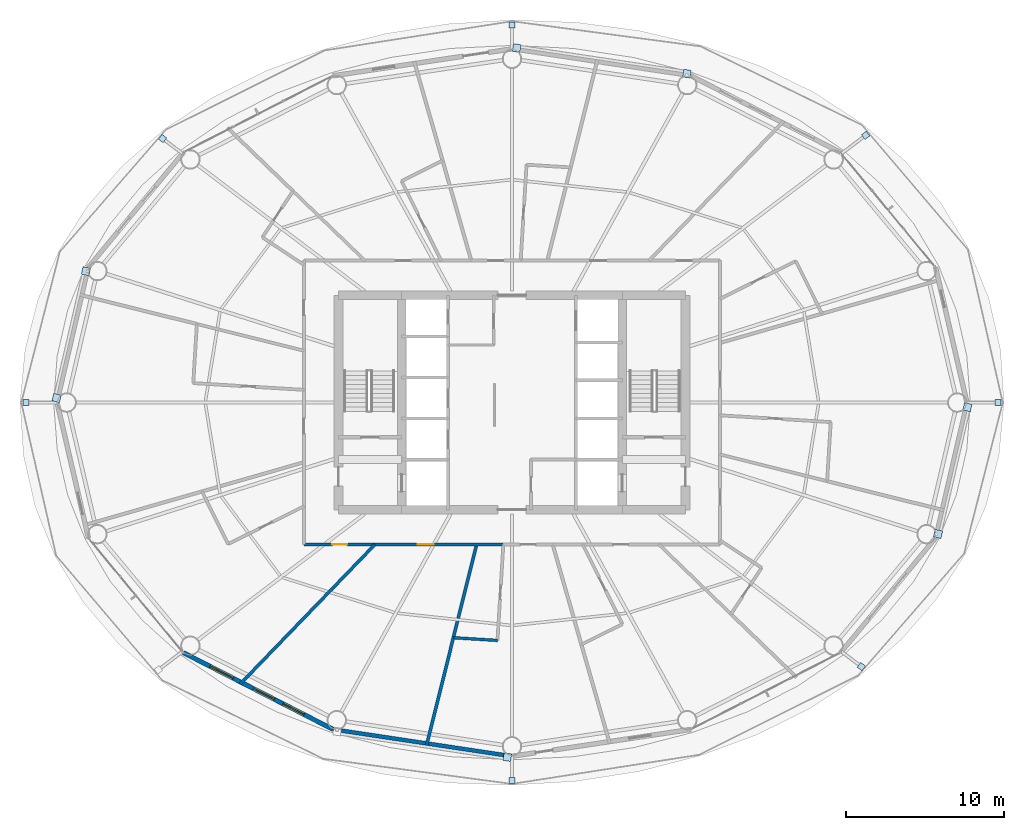
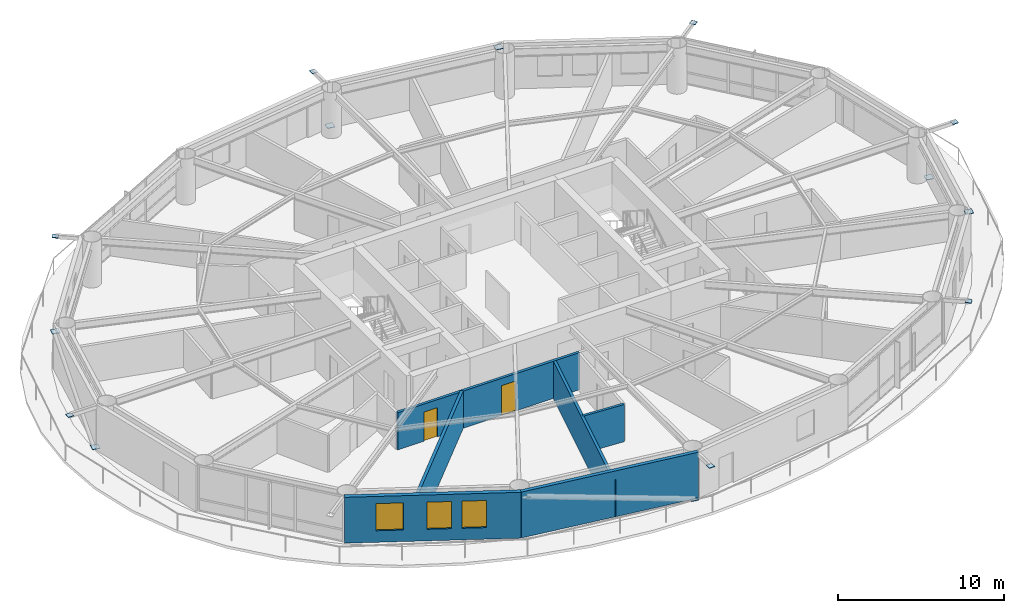
# One storey, part 17 of 24: 14 plates, 6 walls, 3 windows, 2 doors, 5 openings.
"""IFC4 building model written with IfcOpenShell, lengths in metres."""

from ifc_helpers import new_model, si_unit, direction, frame, frame_2d, origin, origin_2d, place, context, subcontext, project, spatial, rectangle, extrude, material, layer, layer_set, type_object, element, fill, save


model = new_model("IFC4")

# Units and contexts
model_context = context("Model", 3, precision=1e-05, world=origin(), true_north=direction((0.0, 1.0)))
body_context = subcontext(model_context, "Body", "Model", "MODEL_VIEW")
ifc_project = project(units=[si_unit("LENGTHUNIT", "METRE"), si_unit("AREAUNIT", "SQUARE_METRE"), si_unit("VOLUMEUNIT", "CUBIC_METRE"), si_unit("PLANEANGLEUNIT", "RADIAN"), si_unit("MASSUNIT", "GRAM", prefix="KILO")], contexts=[model_context])

# Site, building, storey
site_placement = place(None, origin())
site = spatial("IfcSite", under=ifc_project, at=site_placement, CompositionType="ELEMENT")
building_placement = place(site_placement, origin())
building = spatial("IfcBuilding", under=site, at=building_placement, Name="Sarneth Arch Tower", CompositionType="ELEMENT")
storey_placement = place(building_placement, frame((0.0, 0.0, 94.800048828125)))
storey = spatial("IfcBuildingStorey", under=building, at=storey_placement, Name="L23", CompositionType="ELEMENT", Elevation=94.800048828125)

# Plates
ifc_material_1 = material(Name="Steel S355", Category="steel")
ifc_layer_1 = layer(ifc_material_1, 0.035888671875)
ifc_layer_set_1 = layer_set([ifc_layer_1], Name="Steel S355")
plate_type = type_object("IfcPlateType", Name="PLT-GUSSET-30", PredefinedType="SHEET", material=ifc_layer_set_1)
for number, where, z_axis, x_axis, name in (
    (1, (78.828369140625, 42.0, 3.2021484375), (0.0, 0.0, 1.0), (1.0, 0.0, 0.0), "Steel end cap plate GP-1"),
    (2, (70.427490234375, 58.948974609375, 3.2021484375), (0.0, 0.0, 1.0), (0.797794439539, 0.602929541689, 0.0), "Steel end cap plate GP-1"),
):
    element("IfcPlate", number, at=place(storey_placement, frame(where, z_axis=z_axis, x_axis=x_axis)), inside=storey, type_object=plate_type, Name=name, PredefinedType="SHEET", context=body_context, shape_type="SweptSolid", body=[
        extrude(rectangle(XDim=0.3798828125, YDim=0.3798828125, at=origin_2d()), origin(), (0.0, 0.0, 1.0), 0.035888671875),
    ])
for number, where, z_axis, x_axis, name in (
    (3, (48.296630859375, 64.4853515625, 0.001953125), (0.0, 0.0, 1.0), (-0.988860535448, 0.148845024885, 0.0), "Steel end cap plate GP-1"),
    (4, (59.0927734375, 62.859619140625, 2.99462890625), (0.0, 0.0, 1.0), (-0.988860535448, 0.148845024885, 0.0), "Steel end cap plate GP-1"),
):
    element("IfcPlate", number, at=place(storey_placement, frame(where, z_axis=z_axis, x_axis=x_axis)), inside=storey, type_object=plate_type, Name=name, PredefinedType="SHEET", context=body_context, shape_type="SweptSolid", body=[
        extrude(rectangle(XDim=0.486083984375, YDim=0.486083984375, at=origin_2d()), origin(), (0.0, 0.0, 1.0), 0.035888671875),
    ])
for number, where, z_axis, x_axis, name in (
    (5, (48.0, 65.958251953125, 3.2021484375), (0.0, 0.0, 1.0), (0.0, 1.0, 0.0), "Steel end cap plate GP-1"),
    (6, (25.842529296875, 58.744873046875, 3.2021484375), (0.0, 0.0, 1.0), (-0.797794439539, 0.602929541689, 0.0), "Steel end cap plate GP-1"),
):
    element("IfcPlate", number, at=place(storey_placement, frame(where, z_axis=z_axis, x_axis=x_axis)), inside=storey, type_object=plate_type, Name=name, PredefinedType="SHEET", context=body_context, shape_type="SweptSolid", body=[
        extrude(rectangle(XDim=0.3798828125, YDim=0.3798828125, at=origin_2d()), origin(), (0.0, 0.0, 1.0), 0.035888671875),
    ])
for number, where, z_axis, x_axis, name in (
    (7, (19.121337890625, 42.292236328125, 0.001953125), (0.0, 0.0, 1.0), (-0.225291159947, -0.974291482694, 0.0), "Steel end cap plate GP-1"),
    (8, (20.98046875, 50.32958984375, 2.99462890625), (0.0, 0.0, 1.0), (-0.225291159947, -0.974291482694, 0.0), "Steel end cap plate GP-1"),
):
    element("IfcPlate", number, at=place(storey_placement, frame(where, z_axis=z_axis, x_axis=x_axis)), inside=storey, type_object=plate_type, Name=name, PredefinedType="SHEET", context=body_context, shape_type="SweptSolid", body=[
        extrude(rectangle(XDim=0.486083984375, YDim=0.486083984375, at=origin_2d()), origin(), (0.0, 0.0, 1.0), 0.035888671875),
    ])
plate_1_placement = place(storey_placement, frame((17.171630859375, 42.0, 3.2021484375), z_axis=(0.0, 0.0, 1.0), x_axis=(-1.0, 0.0, 0.0)))
element("IfcPlate", 9, at=plate_1_placement, inside=storey, type_object=plate_type, Name="Steel end cap plate GP-1", PredefinedType="SHEET", context=body_context, shape_type="SweptSolid", body=[
    extrude(rectangle(XDim=0.3798828125, YDim=0.3798828125, at=origin_2d()), origin(), (0.0, 0.0, 1.0), 0.035888671875),
])
plate_2_placement = place(storey_placement, frame((47.703369140625, 19.5146484375, 0.001953125), z_axis=(0.0, 0.0, 1.0), x_axis=(0.988860535448, -0.148845024885, 0.0)))
element("IfcPlate", 10, at=plate_2_placement, inside=storey, type_object=plate_type, Name="Steel end cap plate GP-1", PredefinedType="SHEET", context=body_context, shape_type="SweptSolid", body=[
    extrude(rectangle(XDim=0.486083984375, YDim=0.486083984375, at=origin_2d()), origin(), (0.0, 0.0, 1.0), 0.035888671875),
])
for number, where, z_axis, x_axis, name in (
    (11, (48.0, 18.041748046875, 3.2021484375), (0.0, 0.0, 1.0), (0.0, -1.0, 0.0), "Steel end cap plate GP-1"),
    (12, (70.157470703125, 25.255126953125, 3.2021484375), (0.0, 0.0, 1.0), (0.797794439539, -0.602929541689, 0.0), "Steel end cap plate GP-1"),
):
    element("IfcPlate", number, at=place(storey_placement, frame(where, z_axis=z_axis, x_axis=x_axis)), inside=storey, type_object=plate_type, Name=name, PredefinedType="SHEET", context=body_context, shape_type="SweptSolid", body=[
        extrude(rectangle(XDim=0.3798828125, YDim=0.3798828125, at=origin_2d()), origin(), (0.0, 0.0, 1.0), 0.035888671875),
    ])
for number, where, z_axis, x_axis, name in (
    (13, (76.878662109375, 41.707763671875, 0.001953125), (0.0, 0.0, 1.0), (0.225291159947, 0.974291482694, 0.0), "Steel end cap plate GP-1"),
    (14, (75.01953125, 33.67041015625, 2.99462890625), (0.0, 0.0, 1.0), (0.225291159947, 0.974291482694, 0.0), "Steel end cap plate GP-1"),
):
    element("IfcPlate", number, at=place(storey_placement, frame(where, z_axis=z_axis, x_axis=x_axis)), inside=storey, type_object=plate_type, Name=name, PredefinedType="SHEET", context=body_context, shape_type="SweptSolid", body=[
        extrude(rectangle(XDim=0.486083984375, YDim=0.486083984375, at=origin_2d()), origin(), (0.0, 0.0, 1.0), 0.035888671875),
    ])

# Wall, openings, doors
ifc_material_2 = material(Name="Double steel-stud corridor fire wall", Category="steel")
ifc_layer_2 = layer(ifc_material_2, 0.18994140625)
ifc_layer_set_2 = layer_set([ifc_layer_2], Name="Double steel-stud corridor fire wall")
wall_type_1 = type_object("IfcWallType", Name="WALL-CORR-190", PredefinedType="PARTITIONING", material=ifc_layer_set_2)
wall_1_placement = place(storey_placement, frame((47.481689453125, 33.0, 0.0), z_axis=(0.0, 0.0, 1.0), x_axis=(-1.0, 0.0, 0.0)))
wall_1 = element("IfcWall", 15, at=wall_1_placement, inside=storey, type_object=wall_type_1, Name="L23 Interior partition W-L23-TP-017", PredefinedType="PARTITIONING", context=body_context, shape_type="SweptSolid", body=[
    extrude(rectangle(XDim=12.681640625, YDim=0.18994140625, at=frame_2d((6.3408203125, 0.0))), origin(), (0.0, 0.0, 1.0), 2.739990234375),
])
opening_1_placement = place(wall_1_placement, frame((4.455078125, 0.0, 0.0)))
opening_1 = element("IfcOpeningElement", 16, at=opening_1_placement, cuts=wall_1, Name="Opening FD-08", PredefinedType="OPENING", context=body_context, shape_type="SweptSolid", body=[
    extrude(rectangle(XDim=1.0, YDim=2.199951171875, at=frame_2d((0.5, 1.10009765625))), frame((0.0, 0.10498046875, 0.0), z_axis=(0.0, -1.0, 0.0), x_axis=(1.0, 0.0, 0.0)), (0.0, 0.0, 1.0), 0.2099609375),
])
opening_2_placement = place(wall_1_placement, frame((9.929931640625, 0.0, 0.0)))
opening_2 = element("IfcOpeningElement", 17, at=opening_2_placement, cuts=wall_1, Name="Opening FD-09", PredefinedType="OPENING", context=body_context, shape_type="SweptSolid", body=[
    extrude(rectangle(XDim=0.949951171875, YDim=2.14990234375, at=frame_2d((0.47509765625, 1.074951171875))), frame((0.0, 0.10498046875, 0.0), z_axis=(0.0, -1.0, 0.0), x_axis=(1.0, 0.0, 0.0)), (0.0, 0.0, 1.0), 0.2099609375),
])
ifc_material_3 = material(Name="Hardwood timber acoustic fire door", Category="wood")
door_type_1 = type_object("IfcDoorType", Name="DR-FD60-1000", OperationType="SINGLE_SWING_LEFT", PredefinedType="DOOR", material=ifc_material_3)
door_1_placement = place(opening_1_placement, origin())
door_1 = element("IfcDoor", 18, at=door_1_placement, inside=storey, type_object=door_type_1, Name="L23 Interior door DR-L23-AMN-08", OperationType="SINGLE_SWING_LEFT", OverallHeight=2.199951171875, OverallWidth=1.0, PredefinedType="DOOR", context=body_context, shape_type="SweptSolid", body=[
    extrude(rectangle(XDim=1.0, YDim=2.199951171875, at=frame_2d((0.5, 1.10009765625))), frame((0.0, 0.02490234375, 0.0), z_axis=(0.0, -1.0, 0.0), x_axis=(1.0, 0.0, 0.0)), (0.0, 0.0, 1.0), 0.050048828125),
])
fill(opening_1, door_1)
ifc_material_4 = material(Name="Hardwood timber hotel entrance fire door", Category="wood")
door_type_2 = type_object("IfcDoorType", Name="DR-FD60-950", OperationType="SINGLE_SWING_RIGHT", PredefinedType="DOOR", material=ifc_material_4)
door_2_placement = place(opening_2_placement, origin())
door_2 = element("IfcDoor", 19, at=door_2_placement, inside=storey, type_object=door_type_2, Name="L23 Interior door DR-L23-KEY-07", OperationType="SINGLE_SWING_RIGHT", OverallHeight=2.14990234375, OverallWidth=0.949951171875, PredefinedType="DOOR", context=body_context, shape_type="SweptSolid", body=[
    extrude(rectangle(XDim=0.949951171875, YDim=2.14990234375, at=frame_2d((0.47509765625, 1.074951171875))), frame((0.0, 0.02490234375, 0.0), z_axis=(0.0, -1.0, 0.0), x_axis=(1.0, 0.0, 0.0)), (0.0, 0.0, 1.0), 0.050048828125),
])
fill(opening_2, door_2)

# Wall
ifc_material_5 = material(Name="Extruded terracotta rainscreen on Concrete C40/50 backing", Category="masonry")
ifc_layer_3 = layer(ifc_material_5, 0.25)
ifc_layer_set_3 = layer_set([ifc_layer_3], Name="Extruded terracotta rainscreen on Concrete C40/50 backing")
wall_type_2 = type_object("IfcWallType", Name="WALL-EXT-SPAND-250", PredefinedType="SOLIDWALL", material=ifc_layer_set_3)
wall_2_placement = place(storey_placement, frame((36.648681640625, 21.27734375, 0.0), z_axis=(0.0, 0.0, 1.0), x_axis=(0.988877774656, -0.148730450117, 0.0)))
element("IfcWall", 20, at=wall_2_placement, inside=storey, type_object=wall_type_2, Name="L23 Terracotta perimeter wall 12", PredefinedType="SOLIDWALL", context=body_context, shape_type="SweptSolid", body=[
    extrude(rectangle(XDim=11.47900390625, YDim=0.25, at=frame_2d((5.739501953125, 0.0))), origin(), (0.0, 0.0, 1.0), 3.3798828125),
])

# Wall, openings, windows
ifc_material_6 = material(Name="Extruded terracotta rainscreen on Concrete C40/50 backing", Category="masonry")
ifc_layer_4 = layer(ifc_material_6, 0.280029296875)
ifc_layer_set_4 = layer_set([ifc_layer_4], Name="Extruded terracotta rainscreen on Concrete C40/50 backing")
wall_type_3 = type_object("IfcWallType", Name="WALL-EXT-TERRA-280", PredefinedType="SOLIDWALL", material=ifc_layer_set_4)
wall_3_placement = place(storey_placement, frame((27.159912109375, 26.1396484375, 0.0), z_axis=(0.0, 0.0, 1.0), x_axis=(0.889959505023, -0.45603955905, 0.0)))
wall_3 = element("IfcWall", 21, at=wall_3_placement, inside=storey, type_object=wall_type_3, Name="L23 Terracotta perimeter wall 11", PredefinedType="SOLIDWALL", context=body_context, shape_type="SweptSolid", body=[
    extrude(rectangle(XDim=10.662109375, YDim=0.280029296875, at=frame_2d((5.3310546875, 0.0))), origin(), (0.0, 0.0, 1.0), 3.3798828125),
])
opening_3_placement = place(wall_3_placement, frame((1.90380859375, 0.0, 0.85009765625)))
opening_3 = element("IfcOpeningElement", 22, at=opening_3_placement, cuts=wall_3, Name="Opening W-05", PredefinedType="OPENING", context=body_context, shape_type="SweptSolid", body=[
    extrude(rectangle(XDim=1.64990234375, YDim=2.0, at=frame_2d((0.824951171875, 1.0))), frame((0.0, 0.14990234375, 0.0), z_axis=(0.0, -1.0, 0.0), x_axis=(1.0, 0.0, 0.0)), (0.0, 0.0, 1.0), 0.300048828125),
])
opening_4_placement = place(wall_3_placement, frame((4.981689453125, 0.0, 0.85009765625)))
opening_4 = element("IfcOpeningElement", 23, at=opening_4_placement, cuts=wall_3, Name="Opening W-06", PredefinedType="OPENING", context=body_context, shape_type="SweptSolid", body=[
    extrude(rectangle(XDim=1.5, YDim=2.0, at=frame_2d((0.75, 1.0))), frame((0.0, 0.14990234375, 0.0), z_axis=(0.0, -1.0, 0.0), x_axis=(1.0, 0.0, 0.0)), (0.0, 0.0, 1.0), 0.300048828125),
])
opening_5_placement = place(wall_3_placement, frame((7.096435546875, 0.0, 0.85009765625)))
opening_5 = element("IfcOpeningElement", 24, at=opening_5_placement, cuts=wall_3, Name="Opening W-06", PredefinedType="OPENING", context=body_context, shape_type="SweptSolid", body=[
    extrude(rectangle(XDim=1.5, YDim=2.0, at=frame_2d((0.75, 1.0))), frame((0.0, 0.14990234375, 0.0), z_axis=(0.0, -1.0, 0.0), x_axis=(1.0, 0.0, 0.0)), (0.0, 0.0, 1.0), 0.300048828125),
])
ifc_material_7 = material(Name="Thermally broken Aluminium 6063-T6 and low-e laminated IGU", Category="aluminium")
window_type_1 = type_object("IfcWindowType", Name="WIN-TWR-1500x2000", PartitioningType="SINGLE_PANEL", PredefinedType="WINDOW", material=ifc_material_7)
window_1_placement = place(opening_4_placement, origin())
window_1 = element("IfcWindow", 25, at=window_1_placement, inside=storey, type_object=window_type_1, Name="L23 Exterior window 11B", OverallHeight=2.0, OverallWidth=1.5, PartitioningType="SINGLE_PANEL", PredefinedType="WINDOW", context=body_context, shape_type="SweptSolid", body=[
    extrude(rectangle(XDim=1.5, YDim=2.0, at=frame_2d((0.75, 1.0))), frame((0.0, 0.030029296875, 0.0), z_axis=(0.0, -1.0, 0.0), x_axis=(1.0, 0.0, 0.0)), (0.0, 0.0, 1.0), 0.06005859375),
])
fill(opening_4, window_1)
window_2_placement = place(opening_5_placement, origin())
window_2 = element("IfcWindow", 26, at=window_2_placement, inside=storey, type_object=window_type_1, Name="L23 Exterior window 11C", OverallHeight=2.0, OverallWidth=1.5, PartitioningType="SINGLE_PANEL", PredefinedType="WINDOW", context=body_context, shape_type="SweptSolid", body=[
    extrude(rectangle(XDim=1.5, YDim=2.0, at=frame_2d((0.75, 1.0))), frame((0.0, 0.030029296875, 0.0), z_axis=(0.0, -1.0, 0.0), x_axis=(1.0, 0.0, 0.0)), (0.0, 0.0, 1.0), 0.06005859375),
])
fill(opening_5, window_2)
ifc_material_8 = material(Name="Thermally broken Aluminium 6063-T6 and low-e laminated IGU", Category="aluminium")
window_type_2 = type_object("IfcWindowType", Name="WIN-TWR-1650x2000", PartitioningType="DOUBLE_PANEL_VERTICAL", PredefinedType="WINDOW", material=ifc_material_8)
window_3_placement = place(opening_3_placement, origin())
window_3 = element("IfcWindow", 27, at=window_3_placement, inside=storey, type_object=window_type_2, Name="L23 Exterior window 11A", OverallHeight=2.0, OverallWidth=1.64990234375, PartitioningType="SINGLE_PANEL", PredefinedType="WINDOW", context=body_context, shape_type="SweptSolid", body=[
    extrude(rectangle(XDim=1.64990234375, YDim=2.0, at=frame_2d((0.824951171875, 1.0))), frame((0.0, 0.030029296875, 0.0), z_axis=(0.0, -1.0, 0.0), x_axis=(1.0, 0.0, 0.0)), (0.0, 0.0, 1.0), 0.06005859375),
])
fill(opening_3, window_3)

# Walls
ifc_material_9 = material(Name="Moisture-resistant plumbing chase wall", Category="gypsum")
ifc_layer_5 = layer(ifc_material_9, 0.179931640625)
ifc_layer_set_5 = layer_set([ifc_layer_5], Name="Moisture-resistant plumbing chase wall")
wall_type_4 = type_object("IfcWallType", Name="WALL-PLUMB-180", PredefinedType="PLUMBINGWALL", material=ifc_layer_set_5)
wall_4_placement = place(storey_placement, frame((44.28173828125, 27.087158203125, 0.0), z_axis=(0.0, 0.0, 1.0), x_axis=(0.998136779925, -0.061016133608, 0.0)))
element("IfcWall", 28, at=wall_4_placement, inside=storey, type_object=wall_type_4, Name="L23 Interior partition W-L23-TP-055", PredefinedType="PLUMBINGWALL", context=body_context, shape_type="SweptSolid", body=[
    extrude(rectangle(XDim=2.80078125, YDim=0.179931640625, at=frame_2d((1.400390625, 0.0))), origin(), (0.0, 0.0, 1.0), 2.739990234375),
])
ifc_material_10 = material(Name="Double steel-stud acoustic drywall", Category="steel")
ifc_layer_6 = layer(ifc_material_10, 0.199951171875)
ifc_layer_set_6 = layer_set([ifc_layer_6], Name="Double steel-stud acoustic drywall")
wall_type_5 = type_object("IfcWallType", Name="WALL-UNIT-200", PredefinedType="PARTITIONING", material=ifc_layer_set_6)
wall_5_placement = place(storey_placement, frame((30.771728515625, 24.159912109375, 0.0), z_axis=(0.0, 0.0, 1.0), x_axis=(0.694672506389, 0.719326149161, 0.0)))
element("IfcWall", 29, at=wall_5_placement, inside=storey, type_object=wall_type_5, Name="L23 Interior partition W-L23-TP-052", PredefinedType="PARTITIONING", context=body_context, shape_type="SweptSolid", body=[
    extrude(rectangle(XDim=12.289306640625, YDim=0.199951171875, at=frame_2d((6.14453125, 0.0))), origin(), (0.0, 0.0, 1.0), 2.739990234375),
])
wall_6_placement = place(storey_placement, frame((45.756103515625, 33.0, 0.0), z_axis=(0.0, 0.0, 1.0), x_axis=(-0.241918476077, -0.970296578852, 0.0)))
element("IfcWall", 30, at=wall_6_placement, inside=storey, type_object=wall_type_5, Name="L23 Interior partition W-L23-TP-053", PredefinedType="PARTITIONING", context=body_context, shape_type="SweptSolid", body=[
    extrude(rectangle(XDim=13.12548828125, YDim=0.199951171875, at=frame_2d((6.562744140625, 0.0))), origin(), (0.0, 0.0, 1.0), 2.739990234375),
])

save(model, "model.ifc")
